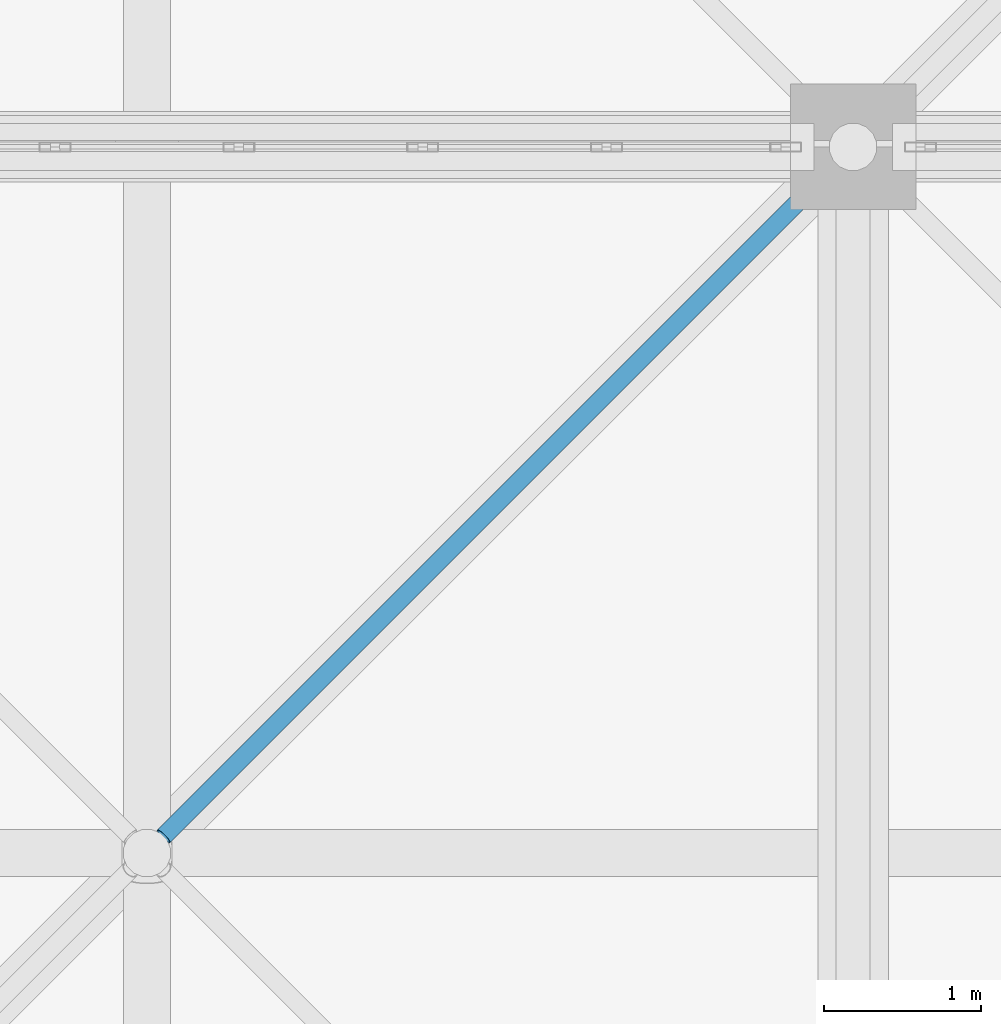
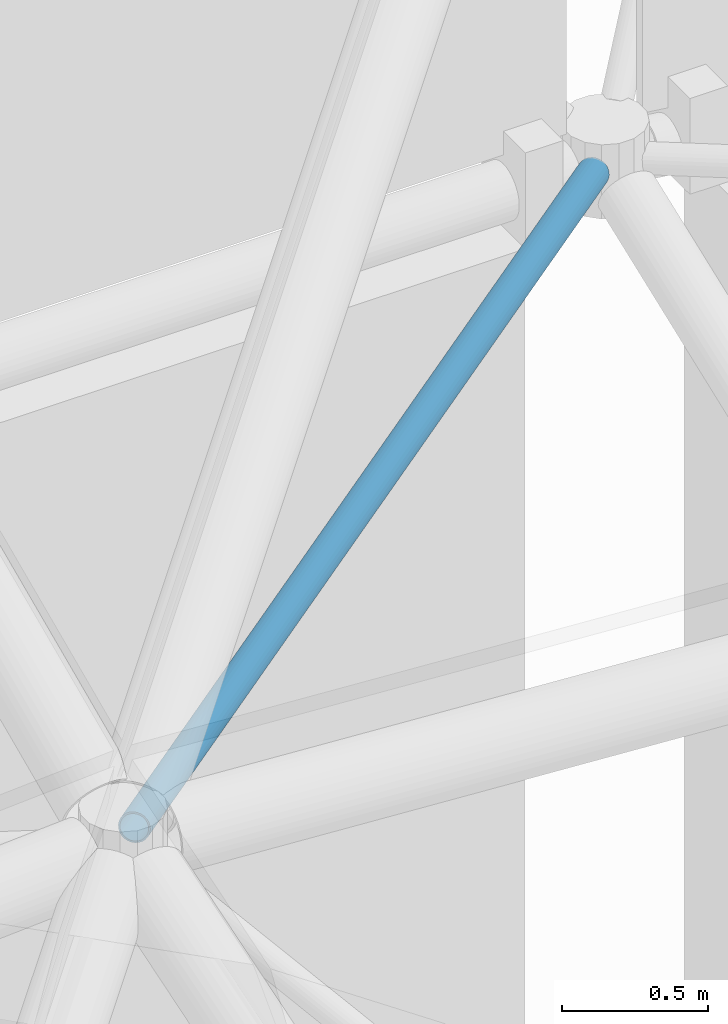
# One storey, part 124 of 437: 1 member.
"""IFC4 building model written with IfcOpenShell, lengths in metres."""

from ifc_helpers import new_model, si_unit, direction, frame, origin, origin_2d, place, context, subcontext, project, spatial, hollow_circle, extrude, material, material_profile, profile_set, type_object, element, save


model = new_model("IFC4")

# Units and contexts
model_context = context("Model", 3, precision=1e-05, world=origin(), true_north=direction((0.0, 1.0)))
body_context = subcontext(model_context, "Body", "Model", "MODEL_VIEW")
ifc_project = project(units=[si_unit("LENGTHUNIT", "METRE"), si_unit("AREAUNIT", "SQUARE_METRE"), si_unit("VOLUMEUNIT", "CUBIC_METRE"), si_unit("PLANEANGLEUNIT", "RADIAN"), si_unit("MASSUNIT", "GRAM", prefix="KILO")], contexts=[model_context])

# Site, building, storey
site_placement = place(None, origin())
site = spatial("IfcSite", under=ifc_project, at=site_placement, CompositionType="ELEMENT")
building_placement = place(site_placement, origin())
building = spatial("IfcBuilding", under=site, at=building_placement, Name="Opaline Strait Convention Centre", CompositionType="ELEMENT")
storey_placement = place(building_placement, frame((0.0, 0.0, 11.5)))
storey = spatial("IfcBuildingStorey", under=building, at=storey_placement, Name="L02", CompositionType="ELEMENT", Elevation=11.5)

# Member
ifc_material = material(Name="Steel Q355B", Category="steel")
ifc_material_profile = material_profile(ifc_material, hollow_circle(Radius=0.056884765625, WallThickness=0.006103515625, at=origin_2d()), Name="CHS 114x6")
ifc_profile_set = profile_set([ifc_material_profile], Name="Steel Q355B")
member_type = type_object("IfcMemberType", Name="Shell truss web CHS 114x6", PredefinedType="BRACE", material=ifc_profile_set)
member_placement = place(storey_placement, frame((44.893798828125, 179.893798828125, 17.5859375), z_axis=(-0.689766139831, -0.689766139831, 0.220103031979), x_axis=(0.707106781187, -0.707106781187, 0.0)))
element("IfcMember", 1, at=member_placement, inside=storey, type_object=member_type, Name="PWB3 web 5-8ac", PredefinedType="BRACE", context=body_context, shape_type="SweptSolid", body=[
    extrude(hollow_circle(Radius=0.056884765625, WallThickness=0.006103515625, at=origin_2d()), origin(), (0.0, 0.0, 1.0), 6.216064453125),
])

save(model, "model.ifc")
